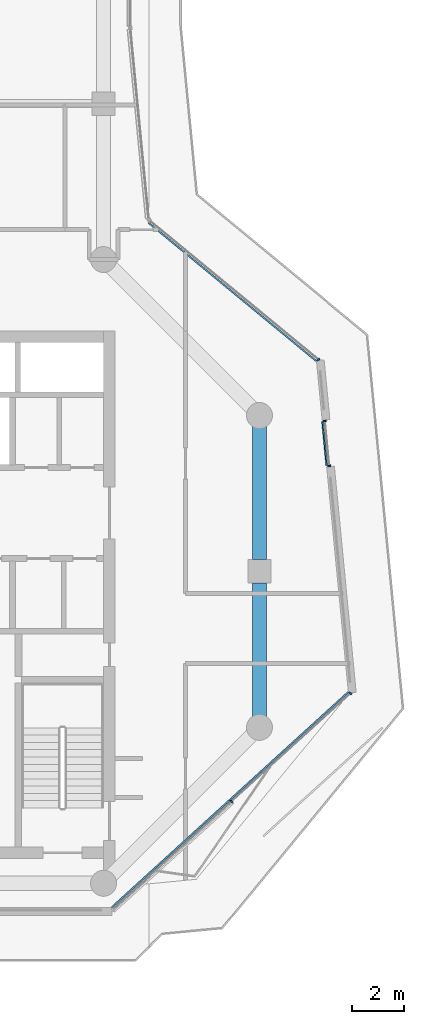
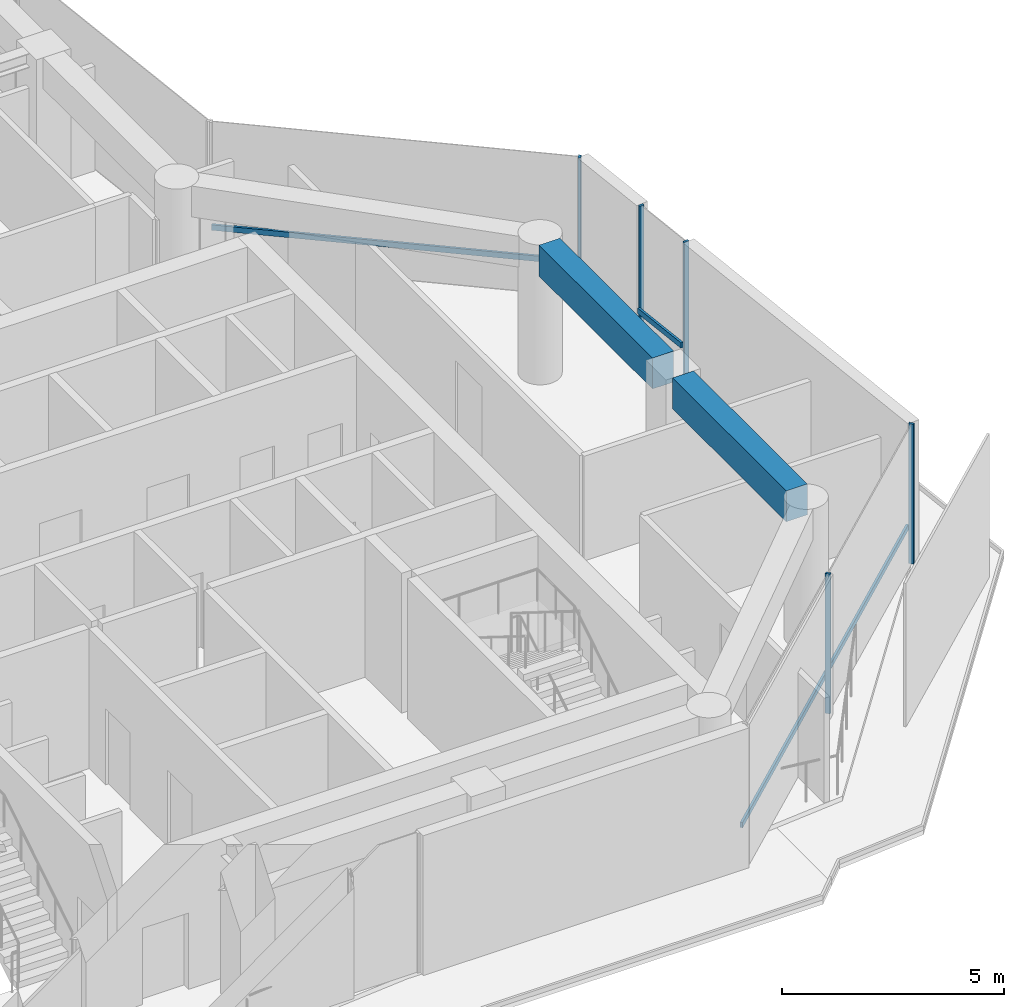
# One storey, part 6 of 23: 8 members, 2 beams, 3 elements without a shape of their own.
"""IFC4 building model written with IfcOpenShell, lengths in metres."""

from ifc_helpers import new_model, si_unit, direction, frame, origin, origin_2d, place, context, subcontext, project, spatial, rectangle, extrude, material, layer, layer_set, material_profile, profile_set, type_object, element, aggregate, save


model = new_model("IFC4")

# Units and contexts
model_context = context("Model", 3, precision=1e-05, world=origin(), true_north=direction((0.0, 1.0)))
body_context = subcontext(model_context, "Body", "Model", "MODEL_VIEW")
ifc_project = project(units=[si_unit("LENGTHUNIT", "METRE"), si_unit("AREAUNIT", "SQUARE_METRE"), si_unit("VOLUMEUNIT", "CUBIC_METRE"), si_unit("PLANEANGLEUNIT", "RADIAN"), si_unit("MASSUNIT", "GRAM", prefix="KILO")], contexts=[model_context])

# Site, building, storey
site_placement = place(None, origin())
site = spatial("IfcSite", under=ifc_project, at=site_placement, CompositionType="ELEMENT")
building_placement = place(site_placement, origin())
building = spatial("IfcBuilding", under=site, at=building_placement, Name="Welwitschia Terrace Campus", CompositionType="ELEMENT")
storey_placement = place(building_placement, frame((0.0, 0.0, 205.39990234375)))
storey = spatial("IfcBuildingStorey", under=building, at=storey_placement, Name="L45", CompositionType="ELEMENT", Elevation=205.39990234375)

# Curtain wall, members
ifc_material_1 = material(Name="Bronze anodised aluminium", Category="aluminium")
ifc_layer = layer(ifc_material_1, 0.1201171875)
ifc_layer_set = layer_set([ifc_layer], Name="Bronze anodised aluminium")
curtain_wall_type = type_object("IfcCurtainWallType", Name="Curtain wall CW2 tower 6000", PredefinedType="NOTDEFINED", material=ifc_layer_set)
curtain_wall_1_placement = place(storey_placement, origin())
curtain_wall_1 = element("IfcCurtainWall", 1, at=curtain_wall_1_placement, inside=storey, type_object=curtain_wall_type, Name="CW L45.3.0", PredefinedType="NOTDEFINED")
ifc_material_2 = material(Name="Bronze anodised aluminium", Category="aluminium")
ifc_material_profile_1 = material_profile(ifc_material_2, rectangle(XDim=0.1201171875, YDim=0.06005859375, at=origin_2d()))
ifc_profile_set_1 = profile_set([ifc_material_profile_1], Name="Bronze anodised aluminium")
member_type_1 = type_object("IfcMemberType", Name="Mullion 60x120", PredefinedType="MULLION", material=ifc_profile_set_1)
member_1_placement = place(storey_placement, frame((28.927490234375, 7.15087890625, 0.0), z_axis=(0.0, 0.0, 1.0), x_axis=(-0.673062173385, 0.739585904921, 0.0)))
member_1 = element("IfcMember", 2, at=member_1_placement, type_object=member_type_1, Name="Mullion L45.3.0.1", PredefinedType="MULLION", context=body_context, shape_type="SweptSolid", body=[
    extrude(rectangle(XDim=0.1201171875, YDim=0.06005859375, at=origin_2d()), origin(), (0.0, 0.0, 1.0), 3.85009765625),
])
member_2_placement = place(storey_placement, frame((33.499267578125, 11.3115234375, 0.0), z_axis=(0.0, 0.0, 1.0), x_axis=(-0.673062173385, 0.739585904921, 0.0)))
member_2 = element("IfcMember", 3, at=member_2_placement, type_object=member_type_1, Name="Mullion L45.3.0.2", PredefinedType="MULLION", context=body_context, shape_type="SweptSolid", body=[
    extrude(rectangle(XDim=0.1201171875, YDim=0.06005859375, at=origin_2d()), origin(), (0.0, 0.0, 1.0), 3.85009765625),
])

curtain_wall_2_placement = place(storey_placement, origin())
curtain_wall_2 = element("IfcCurtainWall", 4, at=curtain_wall_2_placement, inside=storey, type_object=curtain_wall_type, Name="CW L45.4.S0", PredefinedType="NOTDEFINED")
member_3_placement = place(storey_placement, frame((32.680908203125, 20.061279296875, 0.0), z_axis=(0.0, 0.0, 1.0), x_axis=(-0.995396198367, -0.09584575252, 0.0)))
member_3 = element("IfcMember", 5, at=member_3_placement, type_object=member_type_1, Name="Mullion L45.4.S0.0", PredefinedType="MULLION", context=body_context, shape_type="SweptSolid", body=[
    extrude(rectangle(XDim=0.1201171875, YDim=0.06005859375, at=origin_2d()), origin(), (0.0, 0.0, 1.0), 3.85009765625),
])
member_4_placement = place(storey_placement, frame((32.51416015625, 21.793212890625, 0.0), z_axis=(0.0, 0.0, 1.0), x_axis=(-0.995396198367, -0.09584575252, 0.0)))
member_4 = element("IfcMember", 6, at=member_4_placement, type_object=member_type_1, Name="Mullion L45.4.S0.1", PredefinedType="MULLION", context=body_context, shape_type="SweptSolid", body=[
    extrude(rectangle(XDim=0.1201171875, YDim=0.06005859375, at=origin_2d()), origin(), (0.0, 0.0, 1.0), 3.85009765625),
])

# Curtain wall, member
curtain_wall_3_placement = place(storey_placement, origin())
curtain_wall_3 = element("IfcCurtainWall", 7, at=curtain_wall_3_placement, inside=storey, type_object=curtain_wall_type, Name="CW L45.5.0", PredefinedType="NOTDEFINED")
member_5_placement = place(storey_placement, frame((32.266357421875, 24.144775390625, 0.0), z_axis=(0.0, 0.0, 1.0), x_axis=(-0.636078220278, -0.771624583388, 0.0)))
member_5 = element("IfcMember", 8, at=member_5_placement, type_object=member_type_1, Name="Mullion L45.5.0.0", PredefinedType="MULLION", context=body_context, shape_type="SweptSolid", body=[
    extrude(rectangle(XDim=0.1201171875, YDim=0.06005859375, at=origin_2d()), origin(), (0.0, 0.0, 1.0), 3.85009765625),
])

# Beams
ifc_material_3 = material(Name="Concrete C50/60", Category="concrete")
ifc_material_profile_2 = material_profile(ifc_material_3, rectangle(XDim=0.550048828125, YDim=0.85009765625, at=origin_2d()))
ifc_profile_set_2 = profile_set([ifc_material_profile_2], Name="Concrete C50/60")
beam_type = type_object("IfcBeamType", Name="Ring spandrel 550x850", PredefinedType="SPANDREL", material=ifc_profile_set_2)
for number, where, z_axis, x_axis, name in (
    (9, (30.0, 10.41845703125, 3.425048828125), (0.0, 1.0, 0.0), (-1.0, 0.0, 0.0), "Spandrel SP3"),
    (10, (30.0, 16.450439453125, 3.425048828125), (0.0, 1.0, 0.0), (-1.0, 0.0, 0.0), "Spandrel SP3"),
):
    element("IfcBeam", number, at=place(storey_placement, frame(where, z_axis=z_axis, x_axis=x_axis)), inside=storey, type_object=beam_type, Name=name, PredefinedType="SPANDREL", context=body_context, shape_type="SweptSolid", body=[
        extrude(rectangle(XDim=0.550048828125, YDim=0.85009765625, at=origin_2d()), origin(), (0.0, 0.0, 1.0), 5.131103515625),
    ])

# Member
ifc_material_4 = material(Name="Bronze anodised aluminium", Category="aluminium")
ifc_material_profile_3 = material_profile(ifc_material_4, rectangle(XDim=0.06005859375, YDim=0.14990234375, at=origin_2d()))
ifc_profile_set_3 = profile_set([ifc_material_profile_3], Name="Bronze anodised aluminium")
member_type_2 = type_object("IfcMemberType", Name="Transom 60x150", PredefinedType="USERDEFINED", material=ifc_profile_set_3)
member_6_placement = place(storey_placement, frame((24.317138671875, 3.076904296875, 1.0), z_axis=(0.739581710584, 0.673066782251, 0.0), x_axis=(-0.673066782251, 0.739581710584, 0.0)))
member_6 = element("IfcMember", 11, at=member_6_placement, type_object=member_type_2, Name="Transom L45.3.0", ObjectType="TRANSOM", PredefinedType="USERDEFINED", context=body_context, shape_type="SweptSolid", body=[
    extrude(rectangle(XDim=0.06005859375, YDim=0.14990234375, at=origin_2d()), origin(), (0.0, 0.0, 1.0), 12.303466796875),
])

aggregate(curtain_wall_1, [member_1, member_2, member_6])

member_7_placement = place(storey_placement, frame((32.588623046875, 20.08251953125, 1.0), z_axis=(-0.095920099904, 0.995389036726, 0.0), x_axis=(-0.995389036726, -0.095920099904, 0.0)))
member_7 = element("IfcMember", 12, at=member_7_placement, type_object=member_type_2, Name="Transom L45.4.S0", ObjectType="TRANSOM", PredefinedType="USERDEFINED", context=body_context, shape_type="SweptSolid", body=[
    extrude(rectangle(XDim=0.06005859375, YDim=0.14990234375, at=origin_2d()), origin(), (0.0, 0.0, 1.0), 1.679931640625),
])

aggregate(curtain_wall_2, [member_3, member_4, member_7])

member_8_placement = place(storey_placement, frame((32.18603515625, 24.094482421875, 1.0), z_axis=(-0.771619279124, 0.636084654809, 0.0), x_axis=(-0.636084654809, -0.771619279124, 0.0)))
member_8 = element("IfcMember", 13, at=member_8_placement, type_object=member_type_2, Name="Transom L45.5.0", ObjectType="TRANSOM", PredefinedType="USERDEFINED", context=body_context, shape_type="SweptSolid", body=[
    extrude(rectangle(XDim=0.06005859375, YDim=0.14990234375, at=origin_2d()), origin(), (0.0, 0.0, 1.0), 8.365234375),
])

aggregate(curtain_wall_3, [member_5, member_8])

save(model, "model.ifc")
